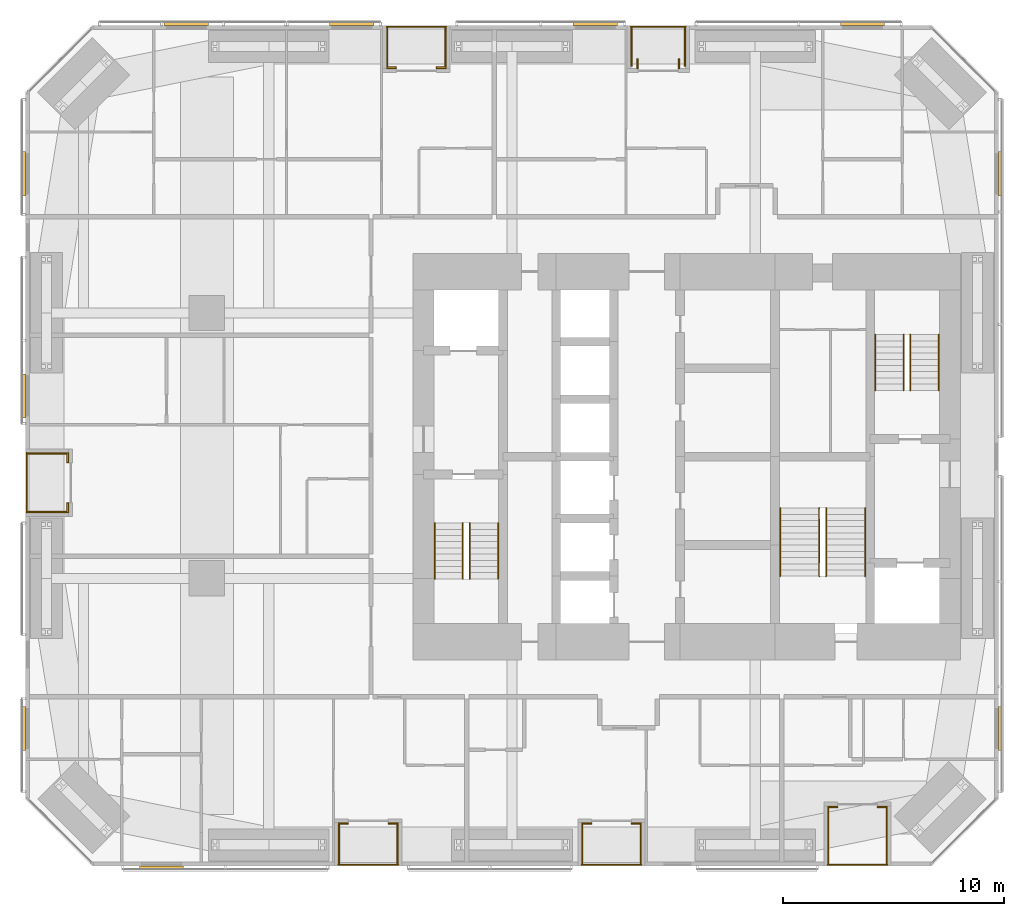
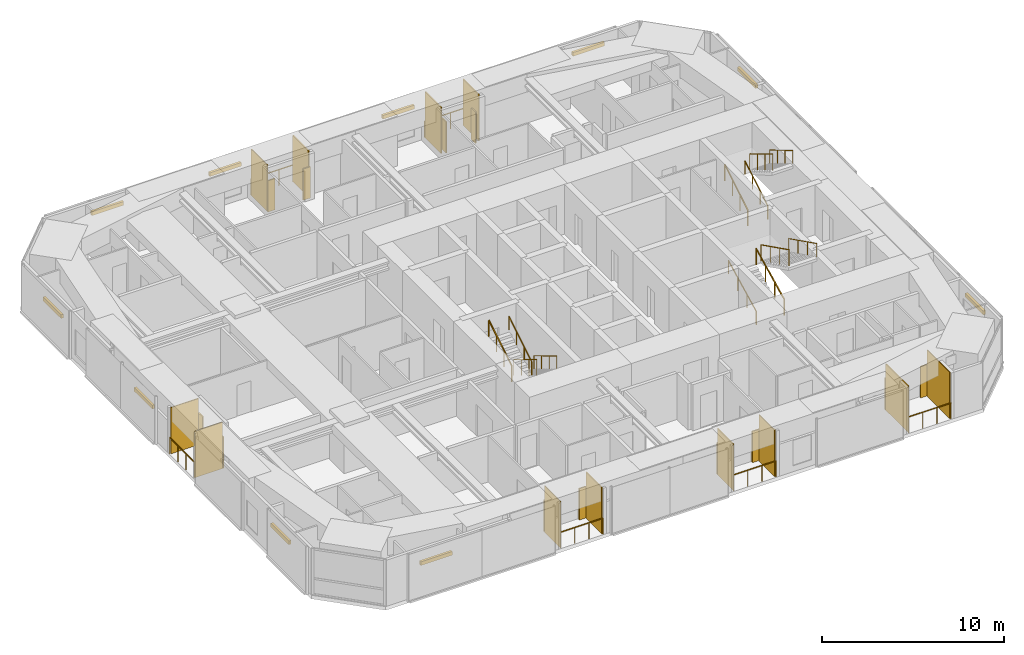
# One storey, part 23 of 23: 34 shading devices, 18 railings.
"""IFC4 building model written with IfcOpenShell, lengths in metres."""

from ifc_helpers import new_model, si_unit, direction, frame, origin, origin_2d, place, context, subcontext, project, spatial, rectangle, circle, extrude, material, layer, layer_set, constituent, constituent_set, type_object, element, save


model = new_model("IFC4")

# Units and contexts
model_context = context("Model", 3, precision=1e-05, world=origin(), true_north=direction((0.0, 1.0)))
body_context = subcontext(model_context, "Body", "Model", "MODEL_VIEW")
ifc_project = project(units=[si_unit("LENGTHUNIT", "METRE"), si_unit("AREAUNIT", "SQUARE_METRE"), si_unit("VOLUMEUNIT", "CUBIC_METRE"), si_unit("PLANEANGLEUNIT", "RADIAN"), si_unit("MASSUNIT", "GRAM", prefix="KILO")], contexts=[model_context])

# Site, building, storey
site_placement = place(None, origin())
site = spatial("IfcSite", under=ifc_project, at=site_placement, CompositionType="ELEMENT")
building_placement = place(site_placement, origin())
building = spatial("IfcBuilding", under=site, at=building_placement, Name="Jalousie Tower", CompositionType="ELEMENT")
storey_placement = place(building_placement, frame((0.0, 0.0, 34.39990234375)))
storey = spatial("IfcBuildingStorey", under=building, at=storey_placement, Name="L08", CompositionType="ELEMENT", Elevation=34.39990234375)

# Shading devices
ifc_material_1 = material(Name="Aluminium impact-rated louvred storm shutter", Category="aluminium")
shading_device_type_1 = type_object("IfcShadingDeviceType", Name="BI-FOLD STORM SHUTTER 900x2100", PredefinedType="SHUTTER", material=ifc_material_1)
for number, where, z_axis, x_axis, name in (
    (1, (16.375, 1.909912109375, 0.0), (0.0, 0.0, 1.0), (1.0, 0.0, 0.0), "Loggia storm shutter L08"),
    (2, (18.625, 1.909912109375, 0.0), (0.0, 0.0, 1.0), (1.0, 0.0, 0.0), "Loggia storm shutter L08"),
    (3, (27.375, 1.909912109375, 0.0), (0.0, 0.0, 1.0), (1.0, 0.0, 0.0), "Loggia storm shutter L08"),
    (4, (29.625, 1.909912109375, 0.0), (0.0, 0.0, 1.0), (1.0, 0.0, 0.0), "Loggia storm shutter L08"),
    (5, (38.5, 2.659912109375, 0.0), (0.0, 0.0, 1.0), (1.0, 0.0, 0.0), "Loggia storm shutter L08"),
    (6, (40.75, 2.659912109375, 0.0), (0.0, 0.0, 1.0), (1.0, 0.0, 0.0), "Loggia storm shutter L08"),
    (7, (31.552490234375, 36.27490234375, 0.0), (0.0, 0.0, 1.0), (0.0, -1.0, 0.0), "Loggia storm shutter L08"),
    (8, (29.672607421875, 36.27490234375, 0.0), (0.0, 0.0, 1.0), (0.0, -1.0, 0.0), "Loggia storm shutter L08"),
    (9, (20.800048828125, 36.090087890625, 0.0), (0.0, 0.0, 1.0), (-1.0, 0.0, 0.0), "Loggia storm shutter L08"),
    (10, (18.550048828125, 36.090087890625, 0.0), (0.0, 0.0, 1.0), (-1.0, 0.0, 0.0), "Loggia storm shutter L08"),
    (11, (3.909912109375, 18.449951171875, 0.0), (0.0, 0.0, 1.0), (0.0, -1.0, 0.0), "Loggia storm shutter L08"),
    (12, (3.909912109375, 16.199951171875, 0.0), (0.0, 0.0, 1.0), (0.0, -1.0, 0.0), "Loggia storm shutter L08"),
):
    element("IfcShadingDevice", number, at=place(storey_placement, frame(where, z_axis=z_axis, x_axis=x_axis)), inside=storey, type_object=shading_device_type_1, Name=name, PredefinedType="SHUTTER", context=body_context, shape_type="SweptSolid", body=[
        extrude(rectangle(XDim=0.449951171875, YDim=0.080078125, at=origin_2d()), origin(), (0.0, 0.0, 1.0), 2.10009765625),
    ])

# Railings
ifc_material_2 = material(Name="Powder-coated aluminium fretwork", Category="aluminium")
railing_type_1 = type_object("IfcRailingType", Name="FRETWORK BALUSTRADE 1100", PredefinedType="BALUSTRADE", material=ifc_material_2)
for number, where, name in (
    (13, (16.14990234375, 0.050048828125, 0.0), "Loggia fretwork balustrade L08"),
    (14, (27.14990234375, 0.050048828125, 0.0), "Loggia fretwork balustrade L08"),
    (15, (38.27490234375, 0.050048828125, 0.0), "Loggia fretwork balustrade L08"),
):
    element("IfcRailing", number, at=place(storey_placement, frame(where)), inside=storey, type_object=railing_type_1, Name=name, PredefinedType="BALUSTRADE", context=body_context, shape_type="SweptSolid", body=[
        extrude(rectangle(XDim=0.048095703125, YDim=0.048095703125, at=origin_2d()), frame((0.0, 0.0, 1.076171875), z_axis=(1.0, 0.0, 0.0), x_axis=(0.0, 1.0, 0.0)), (0.0, 0.0, 1.0), 2.7001953125),
        extrude(circle(Radius=0.02099609375, at=origin_2d()), origin(), (0.0, 0.0, 1.0), 1.052001953125),
        extrude(circle(Radius=0.02099609375, at=origin_2d()), frame((0.900146484375, 0.0, 0.0)), (0.0, 0.0, 1.0), 1.052001953125),
        extrude(circle(Radius=0.02099609375, at=origin_2d()), frame((1.800048828125, 0.0, 0.0)), (0.0, 0.0, 1.0), 1.052001953125),
        extrude(circle(Radius=0.02099609375, at=origin_2d()), frame((2.7001953125, 0.0, 0.0)), (0.0, 0.0, 1.0), 1.052001953125),
    ])
railing_1_placement = place(storey_placement, frame((31.85009765625, 37.949951171875, 0.0)))
element("IfcRailing", 16, at=railing_1_placement, inside=storey, type_object=railing_type_1, Name="Loggia fretwork balustrade L08", PredefinedType="BALUSTRADE", context=body_context, shape_type="SweptSolid", body=[
    extrude(rectangle(XDim=0.048095703125, YDim=0.048095703125, at=origin_2d()), frame((0.0, 0.0, 1.076171875), z_axis=(-1.0, 0.0, 0.0), x_axis=(0.0, -1.0, 0.0)), (0.0, 0.0, 1.0), 2.47509765625),
    extrude(circle(Radius=0.02099609375, at=origin_2d()), origin(), (0.0, 0.0, 1.0), 1.052001953125),
    extrude(circle(Radius=0.02099609375, at=origin_2d()), frame((-0.824951171875, 0.0, 0.0)), (0.0, 0.0, 1.0), 1.052001953125),
    extrude(circle(Radius=0.02099609375, at=origin_2d()), frame((-1.650146484375, 0.0, 0.0)), (0.0, 0.0, 1.0), 1.052001953125),
    extrude(circle(Radius=0.02099609375, at=origin_2d()), frame((-2.47509765625, 0.0, 0.0)), (0.0, 0.0, 1.0), 1.052001953125),
])
railing_2_placement = place(storey_placement, frame((21.02490234375, 37.949951171875, 0.0)))
element("IfcRailing", 17, at=railing_2_placement, inside=storey, type_object=railing_type_1, Name="Loggia fretwork balustrade L08", PredefinedType="BALUSTRADE", context=body_context, shape_type="SweptSolid", body=[
    extrude(rectangle(XDim=0.048095703125, YDim=0.048095703125, at=origin_2d()), frame((0.0, 0.0, 1.076171875), z_axis=(-1.0, 0.0, 0.0), x_axis=(0.0, -1.0, 0.0)), (0.0, 0.0, 1.0), 2.699951171875),
    extrude(circle(Radius=0.02099609375, at=origin_2d()), origin(), (0.0, 0.0, 1.0), 1.052001953125),
    extrude(circle(Radius=0.02099609375, at=origin_2d()), frame((-0.89990234375, 0.0, 0.0)), (0.0, 0.0, 1.0), 1.052001953125),
    extrude(circle(Radius=0.02099609375, at=origin_2d()), frame((-1.800048828125, 0.0, 0.0)), (0.0, 0.0, 1.0), 1.052001953125),
    extrude(circle(Radius=0.02099609375, at=origin_2d()), frame((-2.699951171875, 0.0, 0.0)), (0.0, 0.0, 1.0), 1.052001953125),
])
railing_3_placement = place(storey_placement, frame((2.050048828125, 18.675048828125, 0.0)))
element("IfcRailing", 18, at=railing_3_placement, inside=storey, type_object=railing_type_1, Name="Loggia fretwork balustrade L08", PredefinedType="BALUSTRADE", context=body_context, shape_type="SweptSolid", body=[
    extrude(rectangle(XDim=0.048095703125, YDim=0.048095703125, at=origin_2d()), frame((0.0, 0.0, 1.076171875), z_axis=(0.0, -1.0, 0.0), x_axis=(1.0, 0.0, 0.0)), (0.0, 0.0, 1.0), 2.699951171875),
    extrude(circle(Radius=0.02099609375, at=origin_2d()), origin(), (0.0, 0.0, 1.0), 1.052001953125),
    extrude(circle(Radius=0.02099609375, at=origin_2d()), frame((0.0, -0.89990234375, 0.0)), (0.0, 0.0, 1.0), 1.052001953125),
    extrude(circle(Radius=0.02099609375, at=origin_2d()), frame((0.0, -1.800048828125, 0.0)), (0.0, 0.0, 1.0), 1.052001953125),
    extrude(circle(Radius=0.02099609375, at=origin_2d()), frame((0.0, -2.699951171875, 0.0)), (0.0, 0.0, 1.0), 1.052001953125),
])

# Shading devices
ifc_material_3 = material(Name="Powder-coated aluminium louvres", Category="aluminium")
ifc_layer = layer(ifc_material_3, 0.06005859375)
ifc_layer_set = layer_set([ifc_layer], Name="Powder-coated aluminium louvres")
shading_device_type_2 = type_object("IfcShadingDeviceType", Name="JALOUSIE LOUVRE SCREEN", PredefinedType="JALOUSIE", material=ifc_layer_set)
for number, where, z_axis, x_axis, name in (
    (19, (16.179931640625, 0.97509765625, 0.0), (0.0, 0.0, 1.0), (1.0, 0.0, 0.0), "Loggia jalousie louvre screen L08"),
    (20, (18.820068359375, 0.97509765625, 0.0), (0.0, 0.0, 1.0), (1.0, 0.0, 0.0), "Loggia jalousie louvre screen L08"),
    (21, (27.179931640625, 0.97509765625, 0.0), (0.0, 0.0, 1.0), (1.0, 0.0, 0.0), "Loggia jalousie louvre screen L08"),
    (22, (29.820068359375, 0.97509765625, 0.0), (0.0, 0.0, 1.0), (1.0, 0.0, 0.0), "Loggia jalousie louvre screen L08"),
):
    element("IfcShadingDevice", number, at=place(storey_placement, frame(where, z_axis=z_axis, x_axis=x_axis)), inside=storey, type_object=shading_device_type_2, Name=name, PredefinedType="JALOUSIE", context=body_context, shape_type="SweptSolid", body=[
        extrude(rectangle(XDim=0.06005859375, YDim=1.75, at=origin_2d()), origin(), (0.0, 0.0, 1.0), 3.110107421875),
    ])
for number, where, z_axis, x_axis, name in (
    (23, (38.304931640625, 1.35009765625, 0.0), (0.0, 0.0, 1.0), (1.0, 0.0, 0.0), "Loggia jalousie louvre screen L08"),
    (24, (40.945068359375, 1.35009765625, 0.0), (0.0, 0.0, 1.0), (1.0, 0.0, 0.0), "Loggia jalousie louvre screen L08"),
):
    element("IfcShadingDevice", number, at=place(storey_placement, frame(where, z_axis=z_axis, x_axis=x_axis)), inside=storey, type_object=shading_device_type_2, Name=name, PredefinedType="JALOUSIE", context=body_context, shape_type="SweptSolid", body=[
        extrude(rectangle(XDim=0.06005859375, YDim=2.5, at=origin_2d()), origin(), (0.0, 0.0, 1.0), 3.110107421875),
    ])
for number, where, z_axis, x_axis, name in (
    (25, (31.820068359375, 37.02490234375, 0.0), (0.0, 0.0, 1.0), (-1.0, 0.0, 0.0), "Loggia jalousie louvre screen L08"),
    (26, (29.405029296875, 37.02490234375, 0.0), (0.0, 0.0, 1.0), (-1.0, 0.0, 0.0), "Loggia jalousie louvre screen L08"),
    (27, (20.9951171875, 37.02490234375, 0.0), (0.0, 0.0, 1.0), (-1.0, 0.0, 0.0), "Loggia jalousie louvre screen L08"),
    (28, (18.35498046875, 37.02490234375, 0.0), (0.0, 0.0, 1.0), (-1.0, 0.0, 0.0), "Loggia jalousie louvre screen L08"),
    (29, (2.97509765625, 18.64501953125, 0.0), (0.0, 0.0, 1.0), (0.0, -1.0, 0.0), "Loggia jalousie louvre screen L08"),
    (30, (2.97509765625, 16.0048828125, 0.0), (0.0, 0.0, 1.0), (0.0, -1.0, 0.0), "Loggia jalousie louvre screen L08"),
):
    element("IfcShadingDevice", number, at=place(storey_placement, frame(where, z_axis=z_axis, x_axis=x_axis)), inside=storey, type_object=shading_device_type_2, Name=name, PredefinedType="JALOUSIE", context=body_context, shape_type="SweptSolid", body=[
        extrude(rectangle(XDim=0.06005859375, YDim=1.75, at=origin_2d()), origin(), (0.0, 0.0, 1.0), 3.110107421875),
    ])

# Railings
ifc_material_4 = material(Name="Steel ASTM A500 Grade C", Category="steel")
ifc_constituent_1 = constituent(ifc_material_4, Name="Body")
ifc_material_5 = material(Name="Hot-dip galvanised zinc coating")
ifc_constituent_2 = constituent(ifc_material_5, Name="Finish")
ifc_constituent_set_1 = constituent_set(constituents=[ifc_constituent_1, ifc_constituent_2])
railing_type_2 = type_object("IfcRailingType", Name="STAIR GUARD 1100", PredefinedType="GUARDRAIL", material=ifc_constituent_set_1)
railing_4_placement = place(storey_placement, frame((22.092529296875, 15.49755859375, 0.16748046875)))
element("IfcRailing", 31, at=railing_4_placement, inside=storey, type_object=railing_type_2, Name="Exit stair A guard L08 flight 1", PredefinedType="GUARDRAIL", context=body_context, shape_type="SweptSolid", body=[
    extrude(rectangle(XDim=0.048095703125, YDim=0.048095703125, at=origin_2d()), frame((0.0, 0.0, 1.076171875), z_axis=(0.0, -0.858159760407, 0.513382728203), x_axis=(1.0, 0.0, 0.0)), (0.0, 0.0, 1.0), 2.9365234375),
    extrude(circle(Radius=0.02099609375, at=origin_2d()), origin(), (0.0, 0.0, 1.0), 1.052001953125),
    extrude(circle(Radius=0.02099609375, at=origin_2d()), frame((0.0, -0.840087890625, 0.50244140625)), (0.0, 0.0, 1.0), 1.052001953125),
    extrude(circle(Radius=0.02099609375, at=origin_2d()), frame((0.0, -1.679931640625, 1.005126953125)), (0.0, 0.0, 1.0), 1.052001953125),
    extrude(circle(Radius=0.02099609375, at=origin_2d()), frame((0.0, -2.52001953125, 1.507568359375)), (0.0, 0.0, 1.0), 1.052001953125),
])
for number, where, name in (
    (32, (20.5048828125, 12.9775390625, 1.842529296875), "Exit stair A guard L08 flight 2"),
    (33, (40.43017578125, 21.50244140625, 0.16748046875), "Exit stair B guard L08 flight 1"),
):
    element("IfcRailing", number, at=place(storey_placement, frame(where)), inside=storey, type_object=railing_type_2, Name=name, PredefinedType="GUARDRAIL", context=body_context, shape_type="SweptSolid", body=[
        extrude(rectangle(XDim=0.048095703125, YDim=0.048095703125, at=origin_2d()), frame((0.0, 0.0, 1.076171875), z_axis=(0.0, 0.858159760407, 0.513382728203), x_axis=(-1.0, 0.0, 0.0)), (0.0, 0.0, 1.0), 2.9365234375),
        extrude(circle(Radius=0.02099609375, at=origin_2d()), origin(), (0.0, 0.0, 1.0), 1.052001953125),
        extrude(circle(Radius=0.02099609375, at=origin_2d()), frame((0.0, 0.840087890625, 0.50244140625)), (0.0, 0.0, 1.0), 1.052001953125),
        extrude(circle(Radius=0.02099609375, at=origin_2d()), frame((0.0, 1.679931640625, 1.005126953125)), (0.0, 0.0, 1.0), 1.052001953125),
        extrude(circle(Radius=0.02099609375, at=origin_2d()), frame((0.0, 2.52001953125, 1.507568359375)), (0.0, 0.0, 1.0), 1.052001953125),
    ])
railing_5_placement = place(storey_placement, frame((42.017578125, 24.0224609375, 1.842529296875)))
element("IfcRailing", 34, at=railing_5_placement, inside=storey, type_object=railing_type_2, Name="Exit stair B guard L08 flight 2", PredefinedType="GUARDRAIL", context=body_context, shape_type="SweptSolid", body=[
    extrude(rectangle(XDim=0.048095703125, YDim=0.048095703125, at=origin_2d()), frame((0.0, 0.0, 1.076171875), z_axis=(0.0, -0.858159760407, 0.513382728203), x_axis=(1.0, 0.0, 0.0)), (0.0, 0.0, 1.0), 2.9365234375),
    extrude(circle(Radius=0.02099609375, at=origin_2d()), origin(), (0.0, 0.0, 1.0), 1.052001953125),
    extrude(circle(Radius=0.02099609375, at=origin_2d()), frame((0.0, -0.840087890625, 0.50244140625)), (0.0, 0.0, 1.0), 1.052001953125),
    extrude(circle(Radius=0.02099609375, at=origin_2d()), frame((0.0, -1.679931640625, 1.005126953125)), (0.0, 0.0, 1.0), 1.052001953125),
    extrude(circle(Radius=0.02099609375, at=origin_2d()), frame((0.0, -2.52001953125, 1.507568359375)), (0.0, 0.0, 1.0), 1.052001953125),
])
railing_6_placement = place(storey_placement, frame((37.89501953125, 13.097412109375, 0.1396484375)))
element("IfcRailing", 35, at=railing_6_placement, inside=storey, type_object=railing_type_2, Name="Exit stair C guard L08 flight 1", PredefinedType="GUARDRAIL", context=body_context, shape_type="SweptSolid", body=[
    extrude(rectangle(XDim=0.048095703125, YDim=0.048095703125, at=origin_2d()), frame((0.0, 0.0, 1.076171875), z_axis=(0.0, 0.894965676997, 0.446134998624), x_axis=(-1.0, 0.0, 0.0)), (0.0, 0.0, 1.0), 3.441650390625),
    extrude(circle(Radius=0.02099609375, at=origin_2d()), origin(), (0.0, 0.0, 1.0), 1.052001953125),
    extrude(circle(Radius=0.02099609375, at=origin_2d()), frame((0.0, 1.026611328125, 0.51171875)), (0.0, 0.0, 1.0), 1.052001953125),
    extrude(circle(Radius=0.02099609375, at=origin_2d()), frame((0.0, 2.053466796875, 1.023681640625)), (0.0, 0.0, 1.0), 1.052001953125),
    extrude(circle(Radius=0.02099609375, at=origin_2d()), frame((0.0, 3.080078125, 1.535400390625)), (0.0, 0.0, 1.0), 1.052001953125),
])
railing_7_placement = place(storey_placement, frame((38.205078125, 16.177490234375, 1.814697265625)))
element("IfcRailing", 36, at=railing_7_placement, inside=storey, type_object=railing_type_2, Name="Exit stair C guard L08 flight 2", PredefinedType="GUARDRAIL", context=body_context, shape_type="SweptSolid", body=[
    extrude(rectangle(XDim=0.048095703125, YDim=0.048095703125, at=origin_2d()), frame((0.0, 0.0, 1.076171875), z_axis=(0.0, -0.894965676997, 0.446134998624), x_axis=(1.0, 0.0, 0.0)), (0.0, 0.0, 1.0), 3.441650390625),
    extrude(circle(Radius=0.02099609375, at=origin_2d()), origin(), (0.0, 0.0, 1.0), 1.052001953125),
    extrude(circle(Radius=0.02099609375, at=origin_2d()), frame((0.0, -1.026611328125, 0.51171875)), (0.0, 0.0, 1.0), 1.052001953125),
    extrude(circle(Radius=0.02099609375, at=origin_2d()), frame((0.0, -2.053466796875, 1.023681640625)), (0.0, 0.0, 1.0), 1.052001953125),
    extrude(circle(Radius=0.02099609375, at=origin_2d()), frame((0.0, -3.080078125, 1.535400390625)), (0.0, 0.0, 1.0), 1.052001953125),
])
ifc_material_6 = material(Name="Steel ASTM A500 Grade C", Category="steel")
ifc_constituent_3 = constituent(ifc_material_6, Name="Body")
ifc_material_7 = material(Name="Hot-dip galvanised zinc coating")
ifc_constituent_4 = constituent(ifc_material_7, Name="Finish")
ifc_constituent_set_2 = constituent_set(constituents=[ifc_constituent_3, ifc_constituent_4])
railing_type_3 = type_object("IfcRailingType", Name="STAIR HANDRAIL 900", PredefinedType="HANDRAIL", material=ifc_constituent_set_2)
railing_8_placement = place(storey_placement, frame((23.3701171875, 15.49755859375, 0.16748046875)))
element("IfcRailing", 37, at=railing_8_placement, inside=storey, type_object=railing_type_3, Name="Exit stair A handrail L08 flight 1", PredefinedType="HANDRAIL", context=body_context, shape_type="SweptSolid", body=[
    extrude(circle(Radius=0.02392578125, at=origin_2d()), frame((0.0, 0.0, 0.8759765625), z_axis=(0.0, -0.858159760407, 0.513382728203), x_axis=(1.0, 0.0, 0.0)), (0.0, 0.0, 1.0), 2.9365234375),
    extrude(circle(Radius=0.02099609375, at=origin_2d()), origin(), (0.0, 0.0, 1.0), 0.851806640625),
    extrude(circle(Radius=0.02099609375, at=origin_2d()), frame((0.0, -0.840087890625, 0.50244140625)), (0.0, 0.0, 1.0), 0.851806640625),
    extrude(circle(Radius=0.02099609375, at=origin_2d()), frame((0.0, -1.679931640625, 1.005126953125)), (0.0, 0.0, 1.0), 0.851806640625),
    extrude(circle(Radius=0.02099609375, at=origin_2d()), frame((0.0, -2.52001953125, 1.507568359375)), (0.0, 0.0, 1.0), 0.851806640625),
])
for number, where, name in (
    (38, (21.78271484375, 12.9775390625, 1.842529296875), "Exit stair A handrail L08 flight 2"),
    (39, (41.70751953125, 21.50244140625, 0.16748046875), "Exit stair B handrail L08 flight 1"),
):
    element("IfcRailing", number, at=place(storey_placement, frame(where)), inside=storey, type_object=railing_type_3, Name=name, PredefinedType="HANDRAIL", context=body_context, shape_type="SweptSolid", body=[
        extrude(circle(Radius=0.02392578125, at=origin_2d()), frame((0.0, 0.0, 0.8759765625), z_axis=(0.0, 0.858159760407, 0.513382728203), x_axis=(-1.0, 0.0, 0.0)), (0.0, 0.0, 1.0), 2.9365234375),
        extrude(circle(Radius=0.02099609375, at=origin_2d()), origin(), (0.0, 0.0, 1.0), 0.851806640625),
        extrude(circle(Radius=0.02099609375, at=origin_2d()), frame((0.0, 0.840087890625, 0.50244140625)), (0.0, 0.0, 1.0), 0.851806640625),
        extrude(circle(Radius=0.02099609375, at=origin_2d()), frame((0.0, 1.679931640625, 1.005126953125)), (0.0, 0.0, 1.0), 0.851806640625),
        extrude(circle(Radius=0.02099609375, at=origin_2d()), frame((0.0, 2.52001953125, 1.507568359375)), (0.0, 0.0, 1.0), 0.851806640625),
    ])
railing_9_placement = place(storey_placement, frame((43.294921875, 24.0224609375, 1.842529296875)))
element("IfcRailing", 40, at=railing_9_placement, inside=storey, type_object=railing_type_3, Name="Exit stair B handrail L08 flight 2", PredefinedType="HANDRAIL", context=body_context, shape_type="SweptSolid", body=[
    extrude(circle(Radius=0.02392578125, at=origin_2d()), frame((0.0, 0.0, 0.8759765625), z_axis=(0.0, -0.858159760407, 0.513382728203), x_axis=(1.0, 0.0, 0.0)), (0.0, 0.0, 1.0), 2.9365234375),
    extrude(circle(Radius=0.02099609375, at=origin_2d()), origin(), (0.0, 0.0, 1.0), 0.851806640625),
    extrude(circle(Radius=0.02099609375, at=origin_2d()), frame((0.0, -0.840087890625, 0.50244140625)), (0.0, 0.0, 1.0), 0.851806640625),
    extrude(circle(Radius=0.02099609375, at=origin_2d()), frame((0.0, -1.679931640625, 1.005126953125)), (0.0, 0.0, 1.0), 0.851806640625),
    extrude(circle(Radius=0.02099609375, at=origin_2d()), frame((0.0, -2.52001953125, 1.507568359375)), (0.0, 0.0, 1.0), 0.851806640625),
])
railing_10_placement = place(storey_placement, frame((36.1298828125, 13.097412109375, 0.1396484375)))
element("IfcRailing", 41, at=railing_10_placement, inside=storey, type_object=railing_type_3, Name="Exit stair C handrail L08 flight 1", PredefinedType="HANDRAIL", context=body_context, shape_type="SweptSolid", body=[
    extrude(circle(Radius=0.02392578125, at=origin_2d()), frame((0.0, 0.0, 0.8759765625), z_axis=(0.0, 0.894965676997, 0.446134998624), x_axis=(-1.0, 0.0, 0.0)), (0.0, 0.0, 1.0), 3.441650390625),
    extrude(circle(Radius=0.02099609375, at=origin_2d()), origin(), (0.0, 0.0, 1.0), 0.851806640625),
    extrude(circle(Radius=0.02099609375, at=origin_2d()), frame((0.0, 1.026611328125, 0.51171875)), (0.0, 0.0, 1.0), 0.851806640625),
    extrude(circle(Radius=0.02099609375, at=origin_2d()), frame((0.0, 2.053466796875, 1.023681640625)), (0.0, 0.0, 1.0), 0.851806640625),
    extrude(circle(Radius=0.02099609375, at=origin_2d()), frame((0.0, 3.080078125, 1.535400390625)), (0.0, 0.0, 1.0), 0.851806640625),
])
railing_11_placement = place(storey_placement, frame((39.969970703125, 16.177490234375, 1.814697265625)))
element("IfcRailing", 42, at=railing_11_placement, inside=storey, type_object=railing_type_3, Name="Exit stair C handrail L08 flight 2", PredefinedType="HANDRAIL", context=body_context, shape_type="SweptSolid", body=[
    extrude(circle(Radius=0.02392578125, at=origin_2d()), frame((0.0, 0.0, 0.8759765625), z_axis=(0.0, -0.894965676997, 0.446134998624), x_axis=(1.0, 0.0, 0.0)), (0.0, 0.0, 1.0), 3.441650390625),
    extrude(circle(Radius=0.02099609375, at=origin_2d()), origin(), (0.0, 0.0, 1.0), 0.851806640625),
    extrude(circle(Radius=0.02099609375, at=origin_2d()), frame((0.0, -1.026611328125, 0.51171875)), (0.0, 0.0, 1.0), 0.851806640625),
    extrude(circle(Radius=0.02099609375, at=origin_2d()), frame((0.0, -2.053466796875, 1.023681640625)), (0.0, 0.0, 1.0), 0.851806640625),
    extrude(circle(Radius=0.02099609375, at=origin_2d()), frame((0.0, -3.080078125, 1.535400390625)), (0.0, 0.0, 1.0), 0.851806640625),
])

# Shading devices
ifc_material_8 = material(Name="Aluminium roller storm shutter", Category="aluminium")
shading_device_type_3 = type_object("IfcShadingDeviceType", Name="STORM SHUTTER HOUSING", PredefinedType="SHUTTER", material=ifc_material_8)
for number, where, z_axis, x_axis, name in (
    (43, (8.14990234375, -0.074951171875, 2.10009765625), (0.0, 0.0, 1.0), (1.0, 0.0, 0.0), "Storm shutter L08"),
    (44, (46.074951171875, 6.208740234375, 2.10009765625), (0.0, 0.0, 1.0), (0.0, 1.0, 0.0), "Storm shutter L08"),
    (45, (46.074951171875, 31.291259765625, 2.10009765625), (0.0, 0.0, 1.0), (0.0, 1.0, 0.0), "Storm shutter L08"),
    (46, (39.85009765625, 38.074951171875, 2.10009765625), (0.0, 0.0, 1.0), (-1.0, 0.0, 0.0), "Storm shutter L08"),
    (47, (27.76611328125, 38.074951171875, 2.10009765625), (0.0, 0.0, 1.0), (-1.0, 0.0, 0.0), "Storm shutter L08"),
    (48, (16.757568359375, 38.074951171875, 2.10009765625), (0.0, 0.0, 1.0), (-1.0, 0.0, 0.0), "Storm shutter L08"),
    (49, (9.27001953125, 38.074951171875, 2.10009765625), (0.0, 0.0, 1.0), (-1.0, 0.0, 0.0), "Storm shutter L08"),
    (50, (1.925048828125, 31.291259765625, 2.10009765625), (0.0, 0.0, 1.0), (0.0, -1.0, 0.0), "Storm shutter L08"),
    (51, (1.925048828125, 21.25, 2.10009765625), (0.0, 0.0, 1.0), (0.0, -1.0, 0.0), "Storm shutter L08"),
    (52, (1.925048828125, 6.208740234375, 2.10009765625), (0.0, 0.0, 1.0), (0.0, -1.0, 0.0), "Storm shutter L08"),
):
    element("IfcShadingDevice", number, at=place(storey_placement, frame(where, z_axis=z_axis, x_axis=x_axis)), inside=storey, type_object=shading_device_type_3, Name=name, PredefinedType="SHUTTER", context=body_context, shape_type="SweptSolid", body=[
        extrude(rectangle(XDim=2.0, YDim=0.14990234375, at=origin_2d()), origin(), (0.0, 0.0, 1.0), 0.25),
    ])

save(model, "model.ifc")
